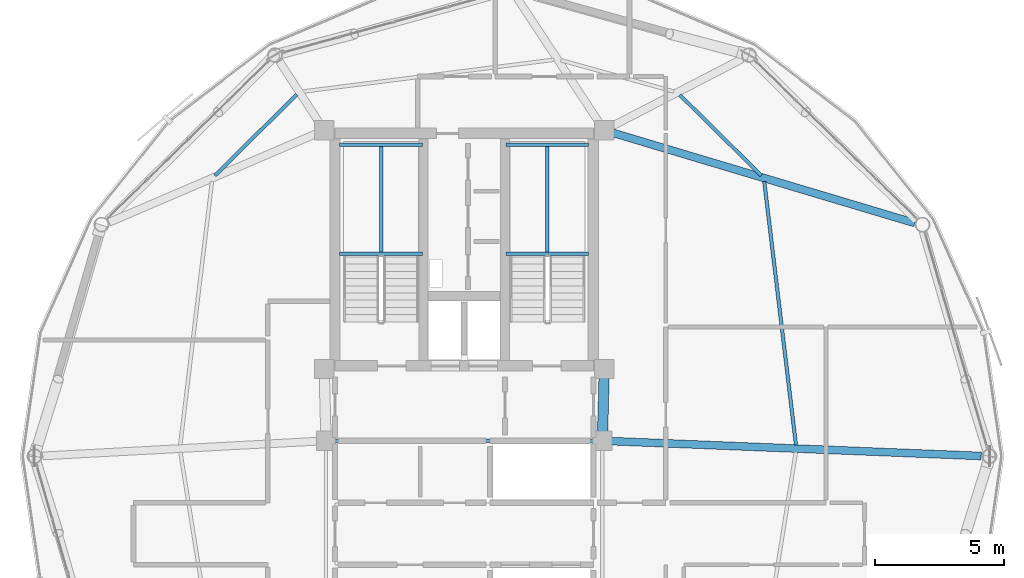
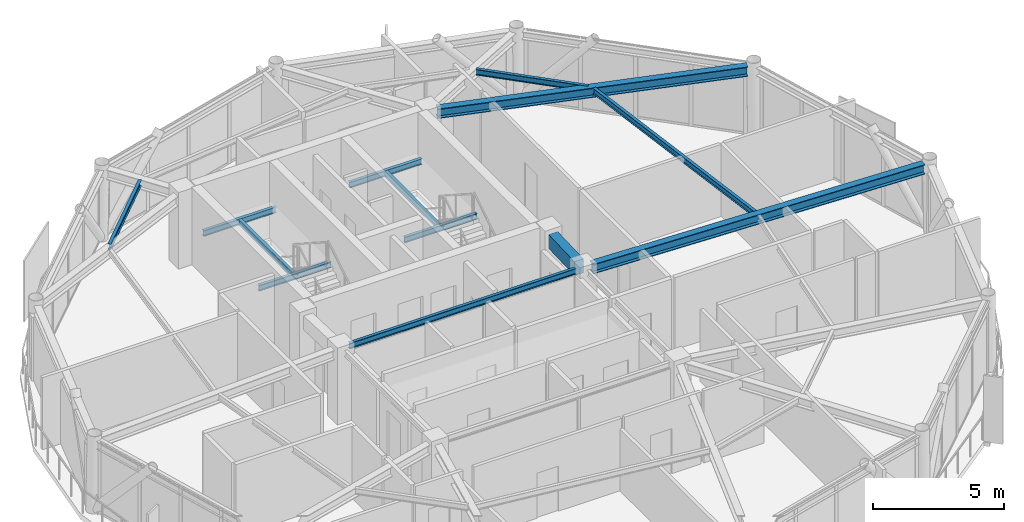
# One storey, part 14 of 27: 13 beams.
"""IFC4 building model written with IfcOpenShell, lengths in metres."""

from ifc_helpers import new_model, si_unit, direction, frame, origin, origin_2d, place, context, subcontext, project, spatial, rectangle, i_section, extrude, material, material_profile, profile_set, type_object, element, save


model = new_model("IFC4")

# Units and contexts
model_context = context("Model", 3, precision=1e-05, world=origin(), true_north=direction((0.0, 1.0)))
body_context = subcontext(model_context, "Body", "Model", "MODEL_VIEW")
ifc_project = project(units=[si_unit("LENGTHUNIT", "METRE"), si_unit("AREAUNIT", "SQUARE_METRE"), si_unit("VOLUMEUNIT", "CUBIC_METRE"), si_unit("PLANEANGLEUNIT", "RADIAN"), si_unit("MASSUNIT", "GRAM", prefix="KILO")], contexts=[model_context])

# Site, building, storey
site_placement = place(None, origin())
site = spatial("IfcSite", under=ifc_project, at=site_placement, CompositionType="ELEMENT")
building_placement = place(site_placement, origin())
building = spatial("IfcBuilding", under=site, at=building_placement, Name="Varnakorn Sky Granary", CompositionType="ELEMENT")
storey_placement = place(building_placement, frame((0.0, 0.0, 249.0)))
storey = spatial("IfcBuildingStorey", under=building, at=storey_placement, Name="L63", CompositionType="ELEMENT", Elevation=249.0)

# Beams
ifc_material_1 = material(Name="Concrete C50/60", Category="concrete")
ifc_material_profile_1 = material_profile(ifc_material_1, rectangle(XDim=0.39990234375, YDim=0.64990234375, at=origin_2d()), Name="RC 400x650")
ifc_profile_set_1 = profile_set([ifc_material_profile_1], Name="Concrete C50/60")
beam_type_1 = type_object("IfcBeamType", Name="BM-LIN-650", PredefinedType="LINTEL", material=ifc_profile_set_1)
beam_1_placement = place(storey_placement, frame((8.4111328125, 3.025146484375, 3.034912109375), z_axis=(-0.025227817192, -0.999681727971, 0.0), x_axis=(0.999681727971, -0.025227817192, 0.0)))
element("IfcBeam", 1, at=beam_1_placement, inside=storey, type_object=beam_type_1, Name="Core Spine Framing Beam 2 L63", PredefinedType="LINTEL", context=body_context, shape_type="SweptSolid", body=[
    extrude(rectangle(XDim=0.39990234375, YDim=0.64990234375, at=origin_2d()), origin(), (0.0, 0.0, 1.0), 2.071044921875),
])
ifc_material_2 = material(Name="Steel S355JR", Category="steel")
ifc_material_profile_2 = material_profile(ifc_material_2, i_section(OverallWidth=0.135009765625, OverallDepth=0.27001953125, WebThickness=0.006591796875, FlangeThickness=0.01025390625, at=origin_2d()), Name="IPE 270")
ifc_profile_set_2 = profile_set([ifc_material_profile_2], Name="Steel S355JR")
beam_type_2 = type_object("IfcBeamType", Name="BM-LND-270", PredefinedType="BEAM", material=ifc_profile_set_2)
for number, where, z_axis, x_axis, name in (
    (2, (-1.820068359375, 7.840087890625, 1.465087890625), (1.0, 0.0, 0.0), (0.0, 1.0, 0.0), "Stair ST-1 Landing Trimmer Beam A L63-1"),
    (3, (-1.820068359375, 12.06005859375, 1.465087890625), (1.0, 0.0, 0.0), (0.0, 1.0, 0.0), "Stair ST-1 Landing Trimmer Beam B L63-1"),
):
    element("IfcBeam", number, at=place(storey_placement, frame(where, z_axis=z_axis, x_axis=x_axis)), inside=storey, type_object=beam_type_2, Name=name, PredefinedType="BEAM", context=body_context, shape_type="SweptSolid", body=[
        extrude(i_section(OverallWidth=0.135009765625, OverallDepth=0.27001953125, WebThickness=0.006591796875, FlangeThickness=0.01025390625, at=origin_2d()), origin(), (0.0, 0.0, 1.0), 3.199951171875),
    ])
beam_2_placement = place(storey_placement, frame((-0.219970703125, 7.840087890625, 1.465087890625), z_axis=(0.0, 1.0, 0.0), x_axis=(-1.0, 0.0, 0.0)))
element("IfcBeam", 4, at=beam_2_placement, inside=storey, type_object=beam_type_2, Name="Stair ST-1 Landing Cross Beam C L63-1", PredefinedType="BEAM", context=body_context, shape_type="SweptSolid", body=[
    extrude(i_section(OverallWidth=0.135009765625, OverallDepth=0.27001953125, WebThickness=0.006591796875, FlangeThickness=0.01025390625, at=origin_2d()), origin(), (0.0, 0.0, 1.0), 4.219970703125),
])
for number, where, z_axis, x_axis, name in (
    (5, (4.6201171875, 7.840087890625, 1.465087890625), (1.0, 0.0, 0.0), (0.0, 1.0, 0.0), "Stair ST-2 Landing Trimmer Beam A L63-1"),
    (6, (4.6201171875, 12.06005859375, 1.465087890625), (1.0, 0.0, 0.0), (0.0, 1.0, 0.0), "Stair ST-2 Landing Trimmer Beam B L63-1"),
):
    element("IfcBeam", number, at=place(storey_placement, frame(where, z_axis=z_axis, x_axis=x_axis)), inside=storey, type_object=beam_type_2, Name=name, PredefinedType="BEAM", context=body_context, shape_type="SweptSolid", body=[
        extrude(i_section(OverallWidth=0.135009765625, OverallDepth=0.27001953125, WebThickness=0.006591796875, FlangeThickness=0.01025390625, at=origin_2d()), origin(), (0.0, 0.0, 1.0), 3.199951171875),
    ])
beam_3_placement = place(storey_placement, frame((6.219970703125, 7.840087890625, 1.465087890625), z_axis=(0.0, 1.0, 0.0), x_axis=(-1.0, 0.0, 0.0)))
element("IfcBeam", 7, at=beam_3_placement, inside=storey, type_object=beam_type_2, Name="Stair ST-2 Landing Cross Beam C L63-1", PredefinedType="BEAM", context=body_context, shape_type="SweptSolid", body=[
    extrude(i_section(OverallWidth=0.135009765625, OverallDepth=0.27001953125, WebThickness=0.006591796875, FlangeThickness=0.01025390625, at=origin_2d()), origin(), (0.0, 0.0, 1.0), 4.219970703125),
])
ifc_material_profile_3 = material_profile(ifc_material_2, i_section(OverallWidth=0.300048828125, OverallDepth=0.449951171875, WebThickness=0.013916015625, FlangeThickness=0.02587890625, at=origin_2d()), Name="HE 450 B")
ifc_profile_set_3 = profile_set([ifc_material_profile_3], Name="Steel S355JR")
beam_type_3 = type_object("IfcBeamType", Name="BM-RAD-Z5", PredefinedType="BEAM", material=ifc_profile_set_3)
beam_4_placement = place(storey_placement, frame((8.70458984375, 0.585693359375, 3.135009765625), z_axis=(0.999192931477, -0.040168217359, 0.0), x_axis=(0.040168217359, 0.999192931477, 0.0)))
element("IfcBeam", 8, at=beam_4_placement, inside=storey, type_object=beam_type_3, Name="Radial Floor Girder RG01 L63", PredefinedType="BEAM", context=body_context, shape_type="SweptSolid", body=[
    extrude(i_section(OverallWidth=0.300048828125, OverallDepth=0.449951171875, WebThickness=0.013916015625, FlangeThickness=0.02587890625, at=origin_2d()), origin(), (0.0, 0.0, 1.0), 14.319580078125),
])
beam_5_placement = place(storey_placement, frame((8.760009765625, 12.518310546875, 3.135009765625), z_axis=(0.958111932051, -0.286394004233, 0.0), x_axis=(0.286394004233, 0.958111932051, 0.0)))
element("IfcBeam", 9, at=beam_5_placement, inside=storey, type_object=beam_type_3, Name="Radial Floor Girder RG02 L63", PredefinedType="BEAM", context=body_context, shape_type="SweptSolid", body=[
    extrude(i_section(OverallWidth=0.300048828125, OverallDepth=0.449951171875, WebThickness=0.013916015625, FlangeThickness=0.02587890625, at=origin_2d()), origin(), (0.0, 0.0, 1.0), 12.1884765625),
])
ifc_material_profile_4 = material_profile(ifc_material_2, i_section(OverallWidth=0.135009765625, OverallDepth=0.27001953125, WebThickness=0.006591796875, FlangeThickness=0.01025390625, at=origin_2d()), Name="IPE 270")
ifc_profile_set_4 = profile_set([ifc_material_profile_4], Name="Steel S355JR")
beam_type_4 = type_object("IfcBeamType", Name="BM-SEC-Z5", PredefinedType="BEAM", material=ifc_profile_set_4)
beam_6_placement = place(storey_placement, frame((15.842041015625, 0.43701171875, 3.22509765625), z_axis=(-0.119402049095, 0.992845985373, 0.0), x_axis=(-0.992845985373, -0.119402049095, 0.0)))
element("IfcBeam", 10, at=beam_6_placement, inside=storey, type_object=beam_type_4, Name="Secondary Floor Chord Beam MSB01 L63", PredefinedType="BEAM", context=body_context, shape_type="SweptSolid", body=[
    extrude(i_section(OverallWidth=0.135009765625, OverallDepth=0.27001953125, WebThickness=0.006591796875, FlangeThickness=0.01025390625, at=origin_2d()), origin(), (0.0, 0.0, 1.0), 10.2705078125),
])
beam_7_placement = place(storey_placement, frame((14.49951171875, 10.871337890625, 3.22509765625), z_axis=(-0.711364606618, 0.702823161578, 0.0), x_axis=(-0.702823161578, -0.711364606618, 0.0)))
element("IfcBeam", 11, at=beam_7_placement, inside=storey, type_object=beam_type_4, Name="Secondary Floor Chord Beam MSB02 L63", PredefinedType="BEAM", context=body_context, shape_type="SweptSolid", body=[
    extrude(i_section(OverallWidth=0.135009765625, OverallDepth=0.27001953125, WebThickness=0.006591796875, FlangeThickness=0.01025390625, at=origin_2d()), origin(), (0.0, 0.0, 1.0), 4.430419921875),
])
beam_8_placement = place(storey_placement, frame((-3.482177734375, 14.002197265625, 3.22509765625), z_axis=(-0.710468627835, -0.70372887454, 0.0), x_axis=(0.70372887454, -0.710468627835, 0.0)))
element("IfcBeam", 12, at=beam_8_placement, inside=storey, type_object=beam_type_4, Name="Secondary Floor Chord Beam MSB05 L63", PredefinedType="BEAM", context=body_context, shape_type="SweptSolid", body=[
    extrude(i_section(OverallWidth=0.135009765625, OverallDepth=0.27001953125, WebThickness=0.006591796875, FlangeThickness=0.01025390625, at=origin_2d()), origin(), (0.0, 0.0, 1.0), 4.45556640625),
])
beam_9_placement = place(storey_placement, frame((-1.9951171875, 0.60009765625, 3.22509765625), z_axis=(1.0, 0.0, 0.0), x_axis=(0.0, 1.0, 0.0)))
element("IfcBeam", 13, at=beam_9_placement, inside=storey, type_object=beam_type_4, Name="Core Spine Framing Beam 5 L63", PredefinedType="BEAM", context=body_context, shape_type="SweptSolid", body=[
    extrude(i_section(OverallWidth=0.135009765625, OverallDepth=0.27001953125, WebThickness=0.006591796875, FlangeThickness=0.01025390625, at=origin_2d()), origin(), (0.0, 0.0, 1.0), 9.990234375),
])

save(model, "model.ifc")
